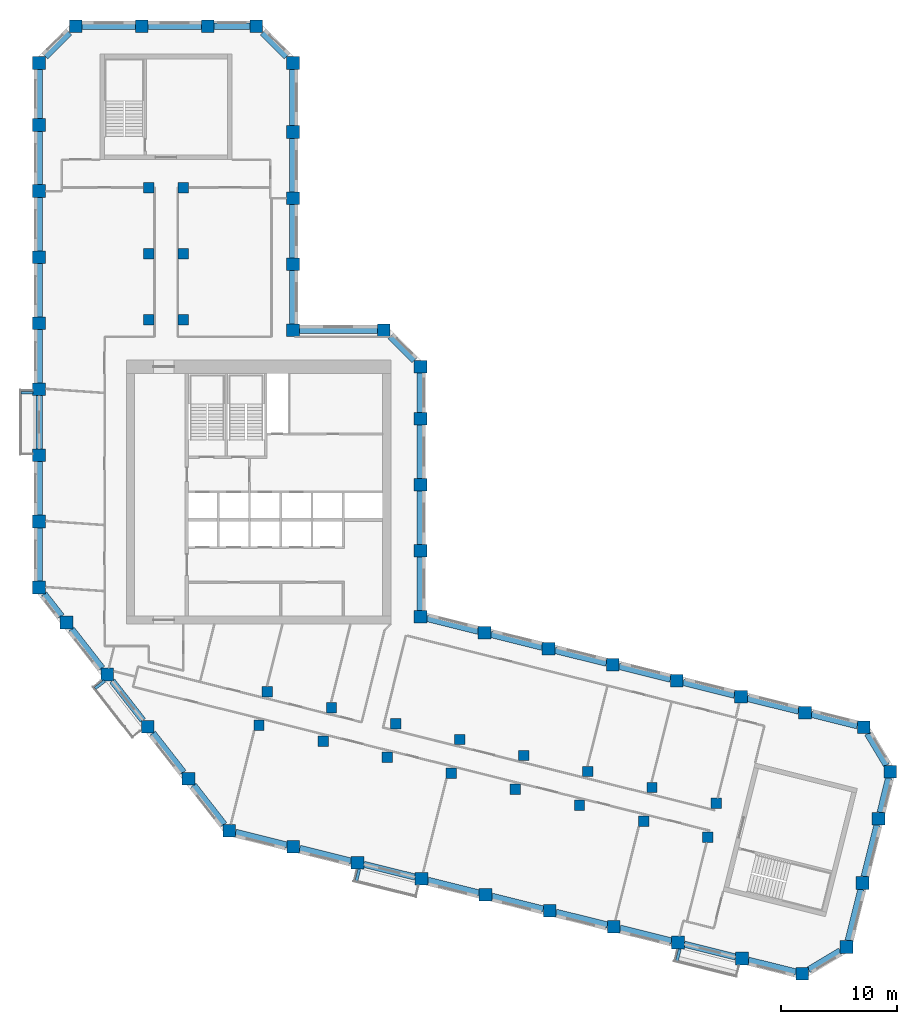
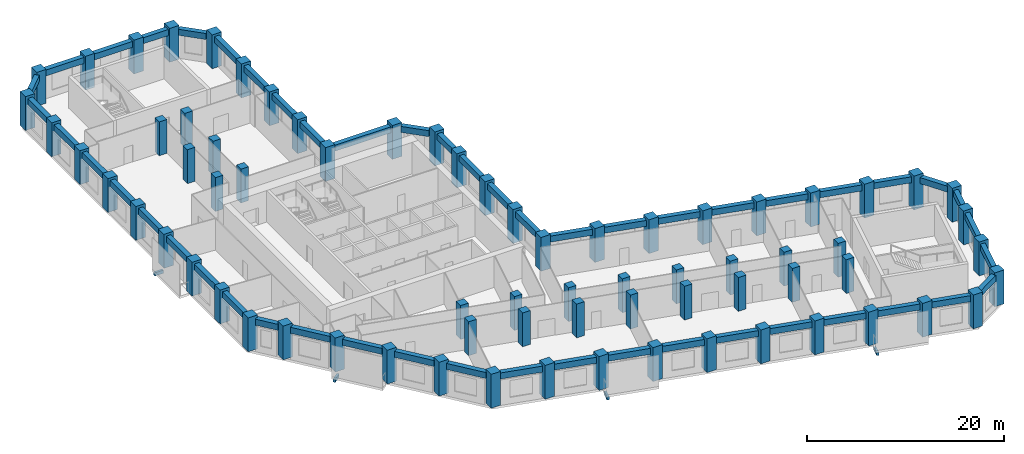
# One storey, part 1 of 10: 71 columns, 53 beams.
"""IFC4 building model written with IfcOpenShell, lengths in metres."""

from ifc_helpers import new_model, si_unit, direction, frame, origin, origin_2d, place, context, subcontext, project, spatial, rectangle, extrude, material, material_profile, profile_set, type_object, element, save


model = new_model("IFC4")

# Units and contexts
model_context = context("Model", 3, precision=1e-05, world=origin(), true_north=direction((0.0, 1.0)))
body_context = subcontext(model_context, "Body", "Model", "MODEL_VIEW")
ifc_project = project(units=[si_unit("LENGTHUNIT", "METRE"), si_unit("AREAUNIT", "SQUARE_METRE"), si_unit("VOLUMEUNIT", "CUBIC_METRE"), si_unit("PLANEANGLEUNIT", "RADIAN"), si_unit("MASSUNIT", "GRAM", prefix="KILO")], contexts=[model_context])

# Site, building, storey
site_placement = place(None, origin())
site = spatial("IfcSite", under=ifc_project, at=site_placement, CompositionType="ELEMENT")
building_placement = place(site_placement, origin())
building = spatial("IfcBuilding", under=site, at=building_placement, Name="Meshkara Civic Tower", CompositionType="ELEMENT")
storey_placement = place(building_placement, frame((0.0, 0.0, 271.800048828125)))
storey = spatial("IfcBuildingStorey", under=building, at=storey_placement, Name="L62", CompositionType="ELEMENT", Elevation=271.800048828125)

# Columns
ifc_material_1 = material(Name="Concrete C60", Category="concrete")
ifc_material_profile_1 = material_profile(ifc_material_1, rectangle(XDim=0.89990234375, YDim=0.89990234375, at=origin_2d()))
ifc_profile_set_1 = profile_set([ifc_material_profile_1], Name="Concrete C60")
column_type_1 = type_object("IfcColumnType", Name="Interior column RC 900x900 C60", PredefinedType="COLUMN", material=ifc_profile_set_1)
for number, where, z_axis, x_axis, name in (
    (1, (9.89990234375, 40.35009765625, 0.0), (0.0, 0.0, 1.0), (1.0, 0.0, 0.0), "Column SA1-04 L62"),
    (2, (9.89990234375, 46.050048828125, 0.0), (0.0, 0.0, 1.0), (1.0, 0.0, 0.0), "Column SA1-05 L62"),
    (3, (9.89990234375, 51.75, 0.0), (0.0, 0.0, 1.0), (1.0, 0.0, 0.0), "Column SA1-06 L62"),
    (4, (12.89990234375, 40.35009765625, 0.0), (0.0, 0.0, 1.0), (1.0, 0.0, 0.0), "Column SA2-04 L62"),
    (5, (12.89990234375, 46.050048828125, 0.0), (0.0, 0.0, 1.0), (1.0, 0.0, 0.0), "Column SA2-05 L62"),
    (6, (12.89990234375, 51.75, 0.0), (0.0, 0.0, 1.0), (1.0, 0.0, 0.0), "Column SA2-06 L62"),
    (7, (19.424072265625, 5.360107421875, 0.0), (0.0, 0.0, 1.0), (1.0, 0.0, 0.0), "Column SB1-00 L62"),
    (8, (24.9541015625, 3.98095703125, 0.0), (0.0, 0.0, 1.0), (1.0, 0.0, 0.0), "Column SB1-01 L62"),
    (9, (30.485107421875, 2.60205078125, 0.0), (0.0, 0.0, 1.0), (1.0, 0.0, 0.0), "Column SB1-02 L62"),
    (10, (36.01611328125, 1.222900390625, 0.0), (0.0, 0.0, 1.0), (1.0, 0.0, 0.0), "Column SB1-03 L62"),
    (11, (41.5458984375, -0.156005859375, 0.0), (0.0, 0.0, 1.0), (1.0, 0.0, 0.0), "Column SB1-04 L62"),
    (12, (47.076904296875, -1.534912109375, 0.0), (0.0, 0.0, 1.0), (1.0, 0.0, 0.0), "Column SB1-05 L62"),
    (13, (52.60791015625, -2.9140625, 0.0), (0.0, 0.0, 1.0), (1.0, 0.0, 0.0), "Column SB1-06 L62"),
    (14, (58.138916015625, -4.2919921875, 0.0), (0.0, 0.0, 1.0), (1.0, 0.0, 0.0), "Column SB1-07 L62"),
    (15, (20.14892578125, 8.27099609375, 0.0), (0.0, 0.0, 1.0), (1.0, 0.0, 0.0), "Column SB2-00 L62"),
    (16, (25.679931640625, 6.89208984375, 0.0), (0.0, 0.0, 1.0), (1.0, 0.0, 0.0), "Column SB2-01 L62"),
    (17, (31.2109375, 5.512939453125, 0.0), (0.0, 0.0, 1.0), (1.0, 0.0, 0.0), "Column SB2-02 L62"),
    (18, (36.741943359375, 4.134033203125, 0.0), (0.0, 0.0, 1.0), (1.0, 0.0, 0.0), "Column SB2-03 L62"),
    (19, (42.27197265625, 2.7548828125, 0.0), (0.0, 0.0, 1.0), (1.0, 0.0, 0.0), "Column SB2-04 L62"),
    (20, (47.802978515625, 1.3759765625, 0.0), (0.0, 0.0, 1.0), (1.0, 0.0, 0.0), "Column SB2-05 L62"),
    (21, (53.333984375, -0.0029296875, 0.0), (0.0, 0.0, 1.0), (1.0, 0.0, 0.0), "Column SB2-06 L62"),
    (22, (58.864013671875, -1.382080078125, 0.0), (0.0, 0.0, 1.0), (1.0, 0.0, 0.0), "Column SB2-07 L62"),
):
    element("IfcColumn", number, at=place(storey_placement, frame(where, z_axis=z_axis, x_axis=x_axis)), inside=storey, type_object=column_type_1, Name=name, PredefinedType="COLUMN", context=body_context, shape_type="SweptSolid", body=[
        extrude(rectangle(XDim=0.89990234375, YDim=0.89990234375, at=origin_2d()), origin(), (0.0, 0.0, 1.0), 4.199951171875),
    ])
ifc_material_2 = material(Name="Concrete C60", Category="concrete")
ifc_material_profile_2 = material_profile(ifc_material_2, rectangle(XDim=1.10009765625, YDim=1.10009765625, at=origin_2d()))
ifc_profile_set_2 = profile_set([ifc_material_profile_2], Name="Concrete C60")
column_type_2 = type_object("IfcColumnType", Name="Perimeter column RC 1100x1100 C60", PredefinedType="COLUMN", material=ifc_profile_set_2)
for number, where, z_axis, x_axis, name in (
    (23, (33.35009765625, 14.718994140625, 0.0), (0.0, 0.0, 1.0), (1.0, 0.0, 0.0), "Column HE00 L62"),
    (24, (33.35009765625, 20.4189453125, 0.0), (0.0, 0.0, 1.0), (1.0, 0.0, 0.0), "Column HE01 L62"),
    (25, (33.35009765625, 26.118896484375, 0.0), (0.0, 0.0, 1.0), (1.0, 0.0, 0.0), "Column HE02 L62"),
    (26, (33.35009765625, 31.819091796875, 0.0), (0.0, 0.0, 1.0), (1.0, 0.0, 0.0), "Column HE03 L62"),
    (27, (33.35009765625, 36.2939453125, 0.0), (0.0, 0.0, 1.0), (1.0, 0.0, 0.0), "Column HEE L62"),
    (28, (30.194091796875, 39.449951171875, 0.0), (0.0, 0.0, 1.0), (1.0, 0.0, 0.0), "Column HCeE L62"),
    (29, (22.35009765625, 39.449951171875, 0.0), (0.0, 0.0, 1.0), (1.0, 0.0, 0.0), "Column HN00 L62"),
    (30, (22.35009765625, 45.14990234375, 0.0), (0.0, 0.0, 1.0), (1.0, 0.0, 0.0), "Column AE01 L62"),
    (31, (22.35009765625, 50.85009765625, 0.0), (0.0, 0.0, 1.0), (1.0, 0.0, 0.0), "Column AE02 L62"),
    (32, (22.35009765625, 56.550048828125, 0.0), (0.0, 0.0, 1.0), (1.0, 0.0, 0.0), "Column AE03 L62"),
    (33, (22.35009765625, 62.513916015625, 0.0), (0.0, 0.0, 1.0), (1.0, 0.0, 0.0), "Column AEEP3 L62"),
    (34, (19.194091796875, 65.669921875, 0.0), (0.0, 0.0, 1.0), (1.0, 0.0, 0.0), "Column ATiEP3 L62"),
    (35, (3.60595703125, 65.669921875, 0.0), (0.0, 0.0, 1.0), (1.0, 0.0, 0.0), "Column AT00-P3 L62"),
    (36, (9.305908203125, 65.669921875, 0.0), (0.0, 0.0, 1.0), (1.0, 0.0, 0.0), "Column AT01-P3 L62"),
    (37, (15.006103515625, 65.669921875, 0.0), (0.0, 0.0, 1.0), (1.0, 0.0, 0.0), "Column AT02-P3 L62"),
    (38, (0.449951171875, 62.513916015625, 0.0), (0.0, 0.0, 1.0), (1.0, 0.0, 0.0), "Column ATo00-P3 L62"),
    (39, (0.449951171875, 17.2548828125, 0.0), (0.0, 0.0, 1.0), (1.0, 0.0, 0.0), "Column AW00 L62"),
    (40, (0.449951171875, 22.955078125, 0.0), (0.0, 0.0, 1.0), (1.0, 0.0, 0.0), "Column AW01 L62"),
    (41, (0.449951171875, 28.655029296875, 0.0), (0.0, 0.0, 1.0), (1.0, 0.0, 0.0), "Column AW02 L62"),
    (42, (0.449951171875, 34.35498046875, 0.0), (0.0, 0.0, 1.0), (1.0, 0.0, 0.0), "Column AW03 L62"),
    (43, (0.449951171875, 40.054931640625, 0.0), (0.0, 0.0, 1.0), (1.0, 0.0, 0.0), "Column AW04 L62"),
    (44, (0.449951171875, 45.7548828125, 0.0), (0.0, 0.0, 1.0), (1.0, 0.0, 0.0), "Column AW05 L62"),
    (45, (0.449951171875, 51.455078125, 0.0), (0.0, 0.0, 1.0), (1.0, 0.0, 0.0), "Column AW06 L62"),
    (46, (0.449951171875, 57.155029296875, 0.0), (0.0, 0.0, 1.0), (1.0, 0.0, 0.0), "Column AW07 L62"),
    (47, (16.85107421875, -3.738037109375, 0.0), (0.0, 0.0, 1.0), (1.0, 0.0, 0.0), "Column BOW00 L62"),
    (48, (13.342041015625, 0.75390625, 0.0), (0.0, 0.0, 1.0), (1.0, 0.0, 0.0), "Column BOW01 L62"),
    (49, (9.8330078125, 5.2451171875, 0.0), (0.0, 0.0, 1.0), (1.0, 0.0, 0.0), "Column BOW02 L62"),
    (50, (6.322998046875, 9.737060546875, 0.0), (0.0, 0.0, 1.0), (1.0, 0.0, 0.0), "Column BOW03 L62"),
    (51, (2.81396484375, 14.22900390625, 0.0), (0.0, 0.0, 1.0), (1.0, 0.0, 0.0), "Column BOW04 L62"),
    (52, (22.382080078125, -5.116943359375, 0.0), (0.0, 0.0, 1.0), (1.0, 0.0, 0.0), "Column BS01 L62"),
    (53, (27.912109375, -6.49609375, 0.0), (0.0, 0.0, 1.0), (1.0, 0.0, 0.0), "Column BS02 L62"),
    (54, (33.443115234375, -7.875, 0.0), (0.0, 0.0, 1.0), (1.0, 0.0, 0.0), "Column BS03 L62"),
    (55, (38.97412109375, -9.2529296875, 0.0), (0.0, 0.0, 1.0), (1.0, 0.0, 0.0), "Column BS04-P1 L62"),
    (56, (44.5048828125, -10.632080078125, 0.0), (0.0, 0.0, 1.0), (1.0, 0.0, 0.0), "Column BS05 L62"),
    (57, (50.034912109375, -12.010986328125, 0.0), (0.0, 0.0, 1.0), (1.0, 0.0, 0.0), "Column BS06 L62"),
    (58, (55.56591796875, -13.389892578125, 0.0), (0.0, 0.0, 1.0), (1.0, 0.0, 0.0), "Column BS07 L62"),
    (59, (61.096923828125, -14.76904296875, 0.0), (0.0, 0.0, 1.0), (1.0, 0.0, 0.0), "Column BS08 L62"),
    (60, (66.2958984375, -16.06494140625, 0.0), (0.0, 0.0, 1.0), (1.0, 0.0, 0.0), "Column BSEP3 L62"),
    (61, (70.1220703125, -13.76611328125, 0.0), (0.0, 0.0, 1.0), (1.0, 0.0, 0.0), "Column BToEP3 L62"),
    (62, (71.5009765625, -8.235107421875, 0.0), (0.0, 0.0, 1.0), (1.0, 0.0, 0.0), "Column BT01-P3 L62"),
    (63, (72.8798828125, -2.705078125, 0.0), (0.0, 0.0, 1.0), (1.0, 0.0, 0.0), "Column BT02-P3 L62"),
    (64, (73.89306640625, 1.35791015625, 0.0), (0.0, 0.0, 1.0), (1.0, 0.0, 0.0), "Column BTEP3 L62"),
    (65, (71.593994140625, 5.18310546875, 0.0), (0.0, 0.0, 1.0), (1.0, 0.0, 0.0), "Column BTi00-P3 L62"),
    (66, (38.881103515625, 13.340087890625, 0.0), (0.0, 0.0, 1.0), (1.0, 0.0, 0.0), "Column BN01 L62"),
    (67, (44.410888671875, 11.9609375, 0.0), (0.0, 0.0, 1.0), (1.0, 0.0, 0.0), "Column BN02 L62"),
    (68, (49.94189453125, 10.58203125, 0.0), (0.0, 0.0, 1.0), (1.0, 0.0, 0.0), "Column BN03 L62"),
    (69, (55.472900390625, 9.202880859375, 0.0), (0.0, 0.0, 1.0), (1.0, 0.0, 0.0), "Column BN04 L62"),
    (70, (61.0029296875, 7.823974609375, 0.0), (0.0, 0.0, 1.0), (1.0, 0.0, 0.0), "Column BN05 L62"),
    (71, (66.533935546875, 6.445068359375, 0.0), (0.0, 0.0, 1.0), (1.0, 0.0, 0.0), "Column BN06 L62"),
):
    element("IfcColumn", number, at=place(storey_placement, frame(where, z_axis=z_axis, x_axis=x_axis)), inside=storey, type_object=column_type_2, Name=name, PredefinedType="COLUMN", context=body_context, shape_type="SweptSolid", body=[
        extrude(rectangle(XDim=1.10009765625, YDim=1.10009765625, at=origin_2d()), origin(), (0.0, 0.0, 1.0), 4.199951171875),
    ])

# Beams
ifc_material_3 = material(Name="Concrete C50", Category="concrete")
ifc_material_profile_3 = material_profile(ifc_material_3, rectangle(XDim=0.25, YDim=0.39990234375, at=origin_2d()))
ifc_profile_set_3 = profile_set([ifc_material_profile_3], Name="Concrete C50")
beam_type_1 = type_object("IfcBeamType", Name="Balcony bracket beam RC 250x400 C50", PredefinedType="BEAM", material=ifc_profile_set_3)
beam_1_placement = place(storey_placement, frame((-0.094970703125, 34.054931640625, -0.5), z_axis=(-1.0, 0.0, 0.0), x_axis=(0.0, -1.0, 0.0)))
element("IfcBeam", 72, at=beam_1_placement, inside=storey, type_object=beam_type_1, Name="Balcony bracket beam", PredefinedType="BEAM", context=body_context, shape_type="SweptSolid", body=[
    extrude(rectangle(XDim=0.25, YDim=0.39990234375, at=origin_2d()), origin(), (0.0, 0.0, 1.0), 1.005126953125),
])
beam_2_placement = place(storey_placement, frame((6.110107421875, 9.18994140625, -0.5), z_axis=(-0.788091711778, -0.615557839546, 0.0), x_axis=(0.615557839546, -0.788091711778, 0.0)))
element("IfcBeam", 73, at=beam_2_placement, inside=storey, type_object=beam_type_1, Name="Balcony bracket beam", PredefinedType="BEAM", context=body_context, shape_type="SweptSolid", body=[
    extrude(rectangle(XDim=0.25, YDim=0.39990234375, at=origin_2d()), origin(), (0.0, 0.0, 1.0), 1.044189453125),
])
beam_3_placement = place(storey_placement, frame((28.0849609375, -7.041015625, -0.5), z_axis=(-0.241940897637, -0.970290988338, 0.0), x_axis=(0.970290988338, -0.241940897637, 0.0)))
element("IfcBeam", 74, at=beam_3_placement, inside=storey, type_object=beam_type_1, Name="Balcony bracket beam", PredefinedType="BEAM", context=body_context, shape_type="SweptSolid", body=[
    extrude(rectangle(XDim=0.25, YDim=0.39990234375, at=origin_2d()), origin(), (0.0, 0.0, 1.0), 1.0625),
])
beam_4_placement = place(storey_placement, frame((55.739013671875, -13.93505859375, -0.5), z_axis=(-0.241725333206, -0.970344713639, 0.0), x_axis=(0.970344713639, -0.241725333206, 0.0)))
element("IfcBeam", 75, at=beam_4_placement, inside=storey, type_object=beam_type_1, Name="Balcony bracket beam", PredefinedType="BEAM", context=body_context, shape_type="SweptSolid", body=[
    extrude(rectangle(XDim=0.25, YDim=0.39990234375, at=origin_2d()), origin(), (0.0, 0.0, 1.0), 1.0634765625),
])
ifc_material_4 = material(Name="Concrete C60", Category="concrete")
ifc_material_profile_4 = material_profile(ifc_material_4, rectangle(XDim=0.550048828125, YDim=0.75, at=origin_2d()))
ifc_profile_set_4 = profile_set([ifc_material_profile_4], Name="Concrete C60")
beam_type_2 = type_object("IfcBeamType", Name="Spandrel beam RC 550x750 C60", PredefinedType="BEAM", material=ifc_profile_set_4)
beam_5_placement = place(storey_placement, frame((65.989013671875, 6.580810546875, 3.52490234375), z_axis=(-0.970299186733, 0.241908016044, 0.0), x_axis=(-0.241908016044, -0.970299186733, 0.0)))
element("IfcBeam", 76, at=beam_5_placement, inside=storey, type_object=beam_type_2, Name="Spandrel beam BN05-BN06", PredefinedType="BEAM", context=body_context, shape_type="SweptSolid", body=[
    extrude(rectangle(XDim=0.550048828125, YDim=0.75, at=origin_2d()), origin(), (0.0, 0.0, 1.0), 4.576904296875),
])
beam_6_placement = place(storey_placement, frame((60.4580078125, 7.9599609375, 3.52490234375), z_axis=(-0.970286696562, 0.241958108925, 0.0), x_axis=(-0.241958108925, -0.970286696562, 0.0)))
element("IfcBeam", 77, at=beam_6_placement, inside=storey, type_object=beam_type_2, Name="Spandrel beam BN04-BN05", PredefinedType="BEAM", context=body_context, shape_type="SweptSolid", body=[
    extrude(rectangle(XDim=0.550048828125, YDim=0.75, at=origin_2d()), origin(), (0.0, 0.0, 1.0), 4.575927734375),
])
for number, where, z_axis, x_axis, name in (
    (78, (54.927978515625, 9.3388671875, 3.52490234375), (-0.970299186733, 0.241908016044, 0.0), (-0.241908016044, -0.970299186733, 0.0), "Spandrel beam BN03-BN04"),
    (79, (49.39697265625, 10.718017578125, 3.52490234375), (-0.970299186733, 0.241908016044, 0.0), (-0.241908016044, -0.970299186733, 0.0), "Spandrel beam BN02-BN03"),
):
    element("IfcBeam", number, at=place(storey_placement, frame(where, z_axis=z_axis, x_axis=x_axis)), inside=storey, type_object=beam_type_2, Name=name, PredefinedType="BEAM", context=body_context, shape_type="SweptSolid", body=[
        extrude(rectangle(XDim=0.550048828125, YDim=0.75, at=origin_2d()), origin(), (0.0, 0.0, 1.0), 4.576904296875),
    ])
beam_7_placement = place(storey_placement, frame((43.865966796875, 12.096923828125, 3.52490234375), z_axis=(-0.970286696562, 0.241958108925, 0.0), x_axis=(-0.241958108925, -0.970286696562, 0.0)))
element("IfcBeam", 80, at=beam_7_placement, inside=storey, type_object=beam_type_2, Name="Spandrel beam BN01-BN02", PredefinedType="BEAM", context=body_context, shape_type="SweptSolid", body=[
    extrude(rectangle(XDim=0.550048828125, YDim=0.75, at=origin_2d()), origin(), (0.0, 0.0, 1.0), 4.575927734375),
])
beam_8_placement = place(storey_placement, frame((38.3359375, 13.475830078125, 3.52490234375), z_axis=(-0.970299186733, 0.241908016044, 0.0), x_axis=(-0.241908016044, -0.970299186733, 0.0)))
element("IfcBeam", 81, at=beam_8_placement, inside=storey, type_object=beam_type_2, Name="Spandrel beam BN01-HE00", PredefinedType="BEAM", context=body_context, shape_type="SweptSolid", body=[
    extrude(rectangle(XDim=0.550048828125, YDim=0.75, at=origin_2d()), origin(), (0.0, 0.0, 1.0), 4.576904296875),
])
beam_9_placement = place(storey_placement, frame((33.35009765625, 15.263916015625, 3.52490234375), z_axis=(0.0, 1.0, 0.0), x_axis=(-1.0, 0.0, 0.0)))
element("IfcBeam", 82, at=beam_9_placement, inside=storey, type_object=beam_type_2, Name="Spandrel beam HE00-HE01", PredefinedType="BEAM", context=body_context, shape_type="SweptSolid", body=[
    extrude(rectangle(XDim=0.550048828125, YDim=0.75, at=origin_2d()), origin(), (0.0, 0.0, 1.0), 4.610107421875),
])
for number, where, z_axis, x_axis, name in (
    (83, (33.35009765625, 20.964111328125, 3.52490234375), (0.0, 1.0, 0.0), (-1.0, 0.0, 0.0), "Spandrel beam HE01-HE02"),
    (84, (33.35009765625, 26.6640625, 3.52490234375), (0.0, 1.0, 0.0), (-1.0, 0.0, 0.0), "Spandrel beam HE02-HE03"),
):
    element("IfcBeam", number, at=place(storey_placement, frame(where, z_axis=z_axis, x_axis=x_axis)), inside=storey, type_object=beam_type_2, Name=name, PredefinedType="BEAM", context=body_context, shape_type="SweptSolid", body=[
        extrude(rectangle(XDim=0.550048828125, YDim=0.75, at=origin_2d()), origin(), (0.0, 0.0, 1.0), 4.60986328125),
    ])
beam_10_placement = place(storey_placement, frame((33.35009765625, 32.364013671875, 3.52490234375), z_axis=(0.0, 1.0, 0.0), x_axis=(-1.0, 0.0, 0.0)))
element("IfcBeam", 85, at=beam_10_placement, inside=storey, type_object=beam_type_2, Name="Spandrel beam HE03-HEE", PredefinedType="BEAM", context=body_context, shape_type="SweptSolid", body=[
    extrude(rectangle(XDim=0.550048828125, YDim=0.75, at=origin_2d()), origin(), (0.0, 0.0, 1.0), 3.385009765625),
])
beam_11_placement = place(storey_placement, frame((32.803466796875, 36.840576171875, 3.52490234375), z_axis=(-0.707106781187, 0.707106781187, 0.0), x_axis=(-0.707106781187, -0.707106781187, 0.0)))
element("IfcBeam", 86, at=beam_11_placement, inside=storey, type_object=beam_type_2, Name="Spandrel beam HCeE-HEE", PredefinedType="BEAM", context=body_context, shape_type="SweptSolid", body=[
    extrude(rectangle(XDim=0.550048828125, YDim=0.75, at=origin_2d()), origin(), (0.0, 0.0, 1.0), 2.91748046875),
])
beam_12_placement = place(storey_placement, frame((29.64892578125, 39.449951171875, 3.52490234375), z_axis=(-1.0, 0.0, 0.0), x_axis=(0.0, -1.0, 0.0)))
element("IfcBeam", 87, at=beam_12_placement, inside=storey, type_object=beam_type_2, Name="Spandrel beam HCeE-HN00", PredefinedType="BEAM", context=body_context, shape_type="SweptSolid", body=[
    extrude(rectangle(XDim=0.550048828125, YDim=0.75, at=origin_2d()), origin(), (0.0, 0.0, 1.0), 6.75390625),
])
for number, where, z_axis, x_axis, name in (
    (88, (22.35009765625, 39.9951171875, 3.52490234375), (0.0, 1.0, 0.0), (-1.0, 0.0, 0.0), "Spandrel beam AE01-HN00"),
    (89, (22.35009765625, 45.695068359375, 3.52490234375), (0.0, 1.0, 0.0), (-1.0, 0.0, 0.0), "Spandrel beam AE01-AE02"),
    (90, (22.35009765625, 51.39501953125, 3.52490234375), (0.0, 1.0, 0.0), (-1.0, 0.0, 0.0), "Spandrel beam AE02-AE03"),
):
    element("IfcBeam", number, at=place(storey_placement, frame(where, z_axis=z_axis, x_axis=x_axis)), inside=storey, type_object=beam_type_2, Name=name, PredefinedType="BEAM", context=body_context, shape_type="SweptSolid", body=[
        extrude(rectangle(XDim=0.550048828125, YDim=0.75, at=origin_2d()), origin(), (0.0, 0.0, 1.0), 4.60986328125),
    ])
beam_13_placement = place(storey_placement, frame((22.35009765625, 57.094970703125, 3.52490234375), z_axis=(0.0, 1.0, 0.0), x_axis=(-1.0, 0.0, 0.0)))
element("IfcBeam", 91, at=beam_13_placement, inside=storey, type_object=beam_type_2, Name="Spandrel beam AE03-AEEP3", PredefinedType="BEAM", context=body_context, shape_type="SweptSolid", body=[
    extrude(rectangle(XDim=0.550048828125, YDim=0.75, at=origin_2d()), origin(), (0.0, 0.0, 1.0), 4.8740234375),
])
beam_14_placement = place(storey_placement, frame((21.803466796875, 63.060546875, 3.52490234375), z_axis=(-0.707106781187, 0.707106781187, 0.0), x_axis=(-0.707106781187, -0.707106781187, 0.0)))
element("IfcBeam", 92, at=beam_14_placement, inside=storey, type_object=beam_type_2, Name="Spandrel beam AEEP3-ATiEP3", PredefinedType="BEAM", context=body_context, shape_type="SweptSolid", body=[
    extrude(rectangle(XDim=0.550048828125, YDim=0.75, at=origin_2d()), origin(), (0.0, 0.0, 1.0), 2.91748046875),
])
beam_15_placement = place(storey_placement, frame((18.64892578125, 65.669921875, 3.52490234375), z_axis=(-1.0, 0.0, 0.0), x_axis=(0.0, -1.0, 0.0)))
element("IfcBeam", 93, at=beam_15_placement, inside=storey, type_object=beam_type_2, Name="Spandrel beam AT02-P3-ATiEP3", PredefinedType="BEAM", context=body_context, shape_type="SweptSolid", body=[
    extrude(rectangle(XDim=0.550048828125, YDim=0.75, at=origin_2d()), origin(), (0.0, 0.0, 1.0), 3.097900390625),
])
beam_16_placement = place(storey_placement, frame((14.4609375, 65.669921875, 3.52490234375), z_axis=(-1.0, 0.0, 0.0), x_axis=(0.0, -1.0, 0.0)))
element("IfcBeam", 94, at=beam_16_placement, inside=storey, type_object=beam_type_2, Name="Spandrel beam AT01-P3-AT02-P3", PredefinedType="BEAM", context=body_context, shape_type="SweptSolid", body=[
    extrude(rectangle(XDim=0.550048828125, YDim=0.75, at=origin_2d()), origin(), (0.0, 0.0, 1.0), 4.60986328125),
])
beam_17_placement = place(storey_placement, frame((8.760986328125, 65.669921875, 3.52490234375), z_axis=(-1.0, 0.0, 0.0), x_axis=(0.0, -1.0, 0.0)))
element("IfcBeam", 95, at=beam_17_placement, inside=storey, type_object=beam_type_2, Name="Spandrel beam AT00-P3-AT01-P3", PredefinedType="BEAM", context=body_context, shape_type="SweptSolid", body=[
    extrude(rectangle(XDim=0.550048828125, YDim=0.75, at=origin_2d()), origin(), (0.0, 0.0, 1.0), 4.610107421875),
])
beam_18_placement = place(storey_placement, frame((3.0595703125, 65.12353515625, 3.52490234375), z_axis=(-0.707106781187, -0.707106781187, 0.0), x_axis=(0.707106781187, -0.707106781187, 0.0)))
element("IfcBeam", 96, at=beam_18_placement, inside=storey, type_object=beam_type_2, Name="Spandrel beam AT00-P3-ATo00-P3", PredefinedType="BEAM", context=body_context, shape_type="SweptSolid", body=[
    extrude(rectangle(XDim=0.550048828125, YDim=0.75, at=origin_2d()), origin(), (0.0, 0.0, 1.0), 2.91748046875),
])
beam_19_placement = place(storey_placement, frame((0.449951171875, 61.968994140625, 3.52490234375), z_axis=(0.0, -1.0, 0.0), x_axis=(1.0, 0.0, 0.0)))
element("IfcBeam", 97, at=beam_19_placement, inside=storey, type_object=beam_type_2, Name="Spandrel beam ATo00-P3-AW07", PredefinedType="BEAM", context=body_context, shape_type="SweptSolid", body=[
    extrude(rectangle(XDim=0.550048828125, YDim=0.75, at=origin_2d()), origin(), (0.0, 0.0, 1.0), 4.26904296875),
])
beam_20_placement = place(storey_placement, frame((0.449951171875, 56.610107421875, 3.52490234375), z_axis=(0.0, -1.0, 0.0), x_axis=(1.0, 0.0, 0.0)))
element("IfcBeam", 98, at=beam_20_placement, inside=storey, type_object=beam_type_2, Name="Spandrel beam AW06-AW07", PredefinedType="BEAM", context=body_context, shape_type="SweptSolid", body=[
    extrude(rectangle(XDim=0.550048828125, YDim=0.75, at=origin_2d()), origin(), (0.0, 0.0, 1.0), 4.610107421875),
])
for number, where, z_axis, x_axis, name in (
    (99, (0.449951171875, 50.909912109375, 3.52490234375), (0.0, -1.0, 0.0), (1.0, 0.0, 0.0), "Spandrel beam AW05-AW06"),
    (100, (0.449951171875, 45.2099609375, 3.52490234375), (0.0, -1.0, 0.0), (1.0, 0.0, 0.0), "Spandrel beam AW04-AW05"),
):
    element("IfcBeam", number, at=place(storey_placement, frame(where, z_axis=z_axis, x_axis=x_axis)), inside=storey, type_object=beam_type_2, Name=name, PredefinedType="BEAM", context=body_context, shape_type="SweptSolid", body=[
        extrude(rectangle(XDim=0.550048828125, YDim=0.75, at=origin_2d()), origin(), (0.0, 0.0, 1.0), 4.60986328125),
    ])
for number, where, z_axis, x_axis, name in (
    (101, (0.449951171875, 39.510009765625, 3.52490234375), (0.0, -1.0, 0.0), (1.0, 0.0, 0.0), "Spandrel beam AW03-AW04"),
    (102, (0.449951171875, 33.81005859375, 3.52490234375), (0.0, -1.0, 0.0), (1.0, 0.0, 0.0), "Spandrel beam AW02-AW03"),
    (103, (0.449951171875, 28.110107421875, 3.52490234375), (0.0, -1.0, 0.0), (1.0, 0.0, 0.0), "Spandrel beam AW01-AW02"),
):
    element("IfcBeam", number, at=place(storey_placement, frame(where, z_axis=z_axis, x_axis=x_axis)), inside=storey, type_object=beam_type_2, Name=name, PredefinedType="BEAM", context=body_context, shape_type="SweptSolid", body=[
        extrude(rectangle(XDim=0.550048828125, YDim=0.75, at=origin_2d()), origin(), (0.0, 0.0, 1.0), 4.610107421875),
    ])
beam_21_placement = place(storey_placement, frame((0.449951171875, 22.409912109375, 3.52490234375), z_axis=(0.0, -1.0, 0.0), x_axis=(1.0, 0.0, 0.0)))
element("IfcBeam", 104, at=beam_21_placement, inside=storey, type_object=beam_type_2, Name="Spandrel beam AW00-AW01", PredefinedType="BEAM", context=body_context, shape_type="SweptSolid", body=[
    extrude(rectangle(XDim=0.550048828125, YDim=0.75, at=origin_2d()), origin(), (0.0, 0.0, 1.0), 4.60986328125),
])
beam_22_placement = place(storey_placement, frame((0.876708984375, 16.708984375, 3.52490234375), z_axis=(0.615626666257, -0.788037948194, 0.0), x_axis=(0.788037948194, 0.615626666257, 0.0)))
element("IfcBeam", 105, at=beam_22_placement, inside=storey, type_object=beam_type_2, Name="Spandrel beam AW00-BOW04", PredefinedType="BEAM", context=body_context, shape_type="SweptSolid", body=[
    extrude(rectangle(XDim=0.550048828125, YDim=0.75, at=origin_2d()), origin(), (0.0, 0.0, 1.0), 2.4541015625),
])
beam_23_placement = place(storey_placement, frame((3.240478515625, 13.682861328125, 3.52490234375), z_axis=(0.615647336498, -0.788021799865, 0.0), x_axis=(0.788021799865, 0.615647336498, 0.0)))
element("IfcBeam", 106, at=beam_23_placement, inside=storey, type_object=beam_type_2, Name="Spandrel beam BOW03-BOW04", PredefinedType="BEAM", context=body_context, shape_type="SweptSolid", body=[
    extrude(rectangle(XDim=0.550048828125, YDim=0.75, at=origin_2d()), origin(), (0.0, 0.0, 1.0), 4.314208984375),
])
beam_24_placement = place(storey_placement, frame((6.749755859375, 9.19091796875, 3.52490234375), z_axis=(0.615690159083, -0.787988342559, 0.0), x_axis=(0.787988342559, 0.615690159083, 0.0)))
element("IfcBeam", 107, at=beam_24_placement, inside=storey, type_object=beam_type_2, Name="Spandrel beam BOW02-BOW03", PredefinedType="BEAM", context=body_context, shape_type="SweptSolid", body=[
    extrude(rectangle(XDim=0.550048828125, YDim=0.75, at=origin_2d()), origin(), (0.0, 0.0, 1.0), 4.314697265625),
])
beam_25_placement = place(storey_placement, frame((10.259765625, 4.698974609375, 3.52490234375), z_axis=(0.615659419462, -0.788012359819, 0.0), x_axis=(0.788012359819, 0.615659419462, 0.0)))
element("IfcBeam", 108, at=beam_25_placement, inside=storey, type_object=beam_type_2, Name="Spandrel beam BOW01-BOW02", PredefinedType="BEAM", context=body_context, shape_type="SweptSolid", body=[
    extrude(rectangle(XDim=0.550048828125, YDim=0.75, at=origin_2d()), origin(), (0.0, 0.0, 1.0), 4.313232421875),
])
beam_26_placement = place(storey_placement, frame((13.7685546875, 0.2080078125, 3.52490234375), z_axis=(0.615584739249, -0.788070700384, 0.0), x_axis=(0.788070700384, 0.615584739249, 0.0)))
element("IfcBeam", 109, at=beam_26_placement, inside=storey, type_object=beam_type_2, Name="Spandrel beam BOW00-BOW01", PredefinedType="BEAM", context=body_context, shape_type="SweptSolid", body=[
    extrude(rectangle(XDim=0.550048828125, YDim=0.75, at=origin_2d()), origin(), (0.0, 0.0, 1.0), 4.314208984375),
])
beam_27_placement = place(storey_placement, frame((17.39599609375, -3.873779296875, 3.52490234375), z_axis=(0.970286664886, -0.24195823595, 0.0), x_axis=(0.24195823595, 0.970286664886, 0.0)))
element("IfcBeam", 110, at=beam_27_placement, inside=storey, type_object=beam_type_2, Name="Spandrel beam BOW00-BS01", PredefinedType="BEAM", context=body_context, shape_type="SweptSolid", body=[
    extrude(rectangle(XDim=0.550048828125, YDim=0.75, at=origin_2d()), origin(), (0.0, 0.0, 1.0), 4.576904296875),
])
beam_28_placement = place(storey_placement, frame((22.927001953125, -5.2529296875, 3.52490234375), z_axis=(0.970286696562, -0.241958108925, 0.0), x_axis=(0.241958108925, 0.970286696562, 0.0)))
element("IfcBeam", 111, at=beam_28_placement, inside=storey, type_object=beam_type_2, Name="Spandrel beam BS01-BS02", PredefinedType="BEAM", context=body_context, shape_type="SweptSolid", body=[
    extrude(rectangle(XDim=0.550048828125, YDim=0.75, at=origin_2d()), origin(), (0.0, 0.0, 1.0), 4.575927734375),
])
beam_29_placement = place(storey_placement, frame((28.45703125, -6.6318359375, 3.52490234375), z_axis=(0.970299186733, -0.241908016044, 0.0), x_axis=(0.241908016044, 0.970299186733, 0.0)))
element("IfcBeam", 112, at=beam_29_placement, inside=storey, type_object=beam_type_2, Name="Spandrel beam BS02-BS03", PredefinedType="BEAM", context=body_context, shape_type="SweptSolid", body=[
    extrude(rectangle(XDim=0.550048828125, YDim=0.75, at=origin_2d()), origin(), (0.0, 0.0, 1.0), 4.576904296875),
])
beam_30_placement = place(storey_placement, frame((33.988037109375, -8.0107421875, 3.52490234375), z_axis=(0.970336738613, -0.241757344662, 0.0), x_axis=(0.241757344662, 0.970336738613, 0.0)))
element("IfcBeam", 113, at=beam_30_placement, inside=storey, type_object=beam_type_2, Name="Spandrel beam BS03-BS04-P1", PredefinedType="BEAM", context=body_context, shape_type="SweptSolid", body=[
    extrude(rectangle(XDim=0.550048828125, YDim=0.75, at=origin_2d()), origin(), (0.0, 0.0, 1.0), 4.57666015625),
])
beam_31_placement = place(storey_placement, frame((39.51904296875, -9.388916015625, 3.52490234375), z_axis=(0.970299186733, -0.241908016044, 0.0), x_axis=(0.241908016044, 0.970299186733, 0.0)))
element("IfcBeam", 114, at=beam_31_placement, inside=storey, type_object=beam_type_2, Name="Spandrel beam BS04-P1-BS05", PredefinedType="BEAM", context=body_context, shape_type="SweptSolid", body=[
    extrude(rectangle(XDim=0.550048828125, YDim=0.75, at=origin_2d()), origin(), (0.0, 0.0, 1.0), 4.576904296875),
])
beam_32_placement = place(storey_placement, frame((45.050048828125, -10.767822265625, 3.52490234375), z_axis=(0.970286696562, -0.241958108925, 0.0), x_axis=(0.241958108925, 0.970286696562, 0.0)))
element("IfcBeam", 115, at=beam_32_placement, inside=storey, type_object=beam_type_2, Name="Spandrel beam BS05-BS06", PredefinedType="BEAM", context=body_context, shape_type="SweptSolid", body=[
    extrude(rectangle(XDim=0.550048828125, YDim=0.75, at=origin_2d()), origin(), (0.0, 0.0, 1.0), 4.575927734375),
])
for number, where, z_axis, x_axis, name in (
    (116, (50.580078125, -12.14697265625, 3.52490234375), (0.970299186733, -0.241908016044, 0.0), (0.241908016044, 0.970299186733, 0.0), "Spandrel beam BS06-BS07"),
    (117, (56.111083984375, -13.52587890625, 3.52490234375), (0.970299186733, -0.241908016044, 0.0), (0.241908016044, 0.970299186733, 0.0), "Spandrel beam BS07-BS08"),
):
    element("IfcBeam", number, at=place(storey_placement, frame(where, z_axis=z_axis, x_axis=x_axis)), inside=storey, type_object=beam_type_2, Name=name, PredefinedType="BEAM", context=body_context, shape_type="SweptSolid", body=[
        extrude(rectangle(XDim=0.550048828125, YDim=0.75, at=origin_2d()), origin(), (0.0, 0.0, 1.0), 4.576904296875),
    ])
beam_33_placement = place(storey_placement, frame((61.64208984375, -14.90478515625, 3.52490234375), z_axis=(0.970298301424, -0.24191156701, 0.0), x_axis=(0.24191156701, 0.970298301424, 0.0)))
element("IfcBeam", 118, at=beam_33_placement, inside=storey, type_object=beam_type_2, Name="Spandrel beam BS08-BSEP3", PredefinedType="BEAM", context=body_context, shape_type="SweptSolid", body=[
    extrude(rectangle(XDim=0.550048828125, YDim=0.75, at=origin_2d()), origin(), (0.0, 0.0, 1.0), 4.234619140625),
])
beam_34_placement = place(storey_placement, frame((66.841796875, -15.737060546875, 3.52490234375), z_axis=(0.857175401914, 0.51502459199, 0.0), x_axis=(-0.51502459199, 0.857175401914, 0.0)))
element("IfcBeam", 119, at=beam_34_placement, inside=storey, type_object=beam_type_2, Name="Spandrel beam BSEP3-BToEP3", PredefinedType="BEAM", context=body_context, shape_type="SweptSolid", body=[
    extrude(rectangle(XDim=0.550048828125, YDim=0.75, at=origin_2d()), origin(), (0.0, 0.0, 1.0), 3.190185546875),
])
beam_35_placement = place(storey_placement, frame((70.2578125, -13.220947265625, 3.52490234375), z_axis=(0.241908016044, 0.970299186733, 0.0), x_axis=(-0.970299186733, 0.241908016044, 0.0)))
element("IfcBeam", 120, at=beam_35_placement, inside=storey, type_object=beam_type_2, Name="Spandrel beam BT01-P3-BToEP3", PredefinedType="BEAM", context=body_context, shape_type="SweptSolid", body=[
    extrude(rectangle(XDim=0.550048828125, YDim=0.75, at=origin_2d()), origin(), (0.0, 0.0, 1.0), 4.576904296875),
])
beam_36_placement = place(storey_placement, frame((71.636962890625, -7.68994140625, 3.52490234375), z_axis=(0.241958108925, 0.970286696562, 0.0), x_axis=(-0.970286696562, 0.241958108925, 0.0)))
element("IfcBeam", 121, at=beam_36_placement, inside=storey, type_object=beam_type_2, Name="Spandrel beam BT01-P3-BT02-P3", PredefinedType="BEAM", context=body_context, shape_type="SweptSolid", body=[
    extrude(rectangle(XDim=0.550048828125, YDim=0.75, at=origin_2d()), origin(), (0.0, 0.0, 1.0), 4.575927734375),
])
beam_37_placement = place(storey_placement, frame((73.015869140625, -2.159912109375, 3.52490234375), z_axis=(0.24191686251, 0.970296981152, 0.0), x_axis=(-0.970296981152, 0.24191686251, 0.0)))
element("IfcBeam", 122, at=beam_37_placement, inside=storey, type_object=beam_type_2, Name="Spandrel beam BT02-P3-BTEP3", PredefinedType="BEAM", context=body_context, shape_type="SweptSolid", body=[
    extrude(rectangle(XDim=0.550048828125, YDim=0.75, at=origin_2d()), origin(), (0.0, 0.0, 1.0), 3.06396484375),
])
beam_38_placement = place(storey_placement, frame((73.56494140625, 1.90380859375, 3.52490234375), z_axis=(-0.515137320802, 0.857107659934, 0.0), x_axis=(-0.857107659934, -0.515137320802, 0.0)))
element("IfcBeam", 123, at=beam_38_placement, inside=storey, type_object=beam_type_2, Name="Spandrel beam BTEP3-BTi00-P3", PredefinedType="BEAM", context=body_context, shape_type="SweptSolid", body=[
    extrude(rectangle(XDim=0.550048828125, YDim=0.75, at=origin_2d()), origin(), (0.0, 0.0, 1.0), 3.189208984375),
])
beam_39_placement = place(storey_placement, frame((71.048828125, 5.319091796875, 3.52490234375), z_axis=(-0.970282744603, 0.241973956296, 0.0), x_axis=(-0.241973956296, -0.970282744603, 0.0)))
element("IfcBeam", 124, at=beam_39_placement, inside=storey, type_object=beam_type_2, Name="Spandrel beam BN06-BTi00-P3", PredefinedType="BEAM", context=body_context, shape_type="SweptSolid", body=[
    extrude(rectangle(XDim=0.550048828125, YDim=0.75, at=origin_2d()), origin(), (0.0, 0.0, 1.0), 4.09130859375),
])

save(model, "model.ifc")
